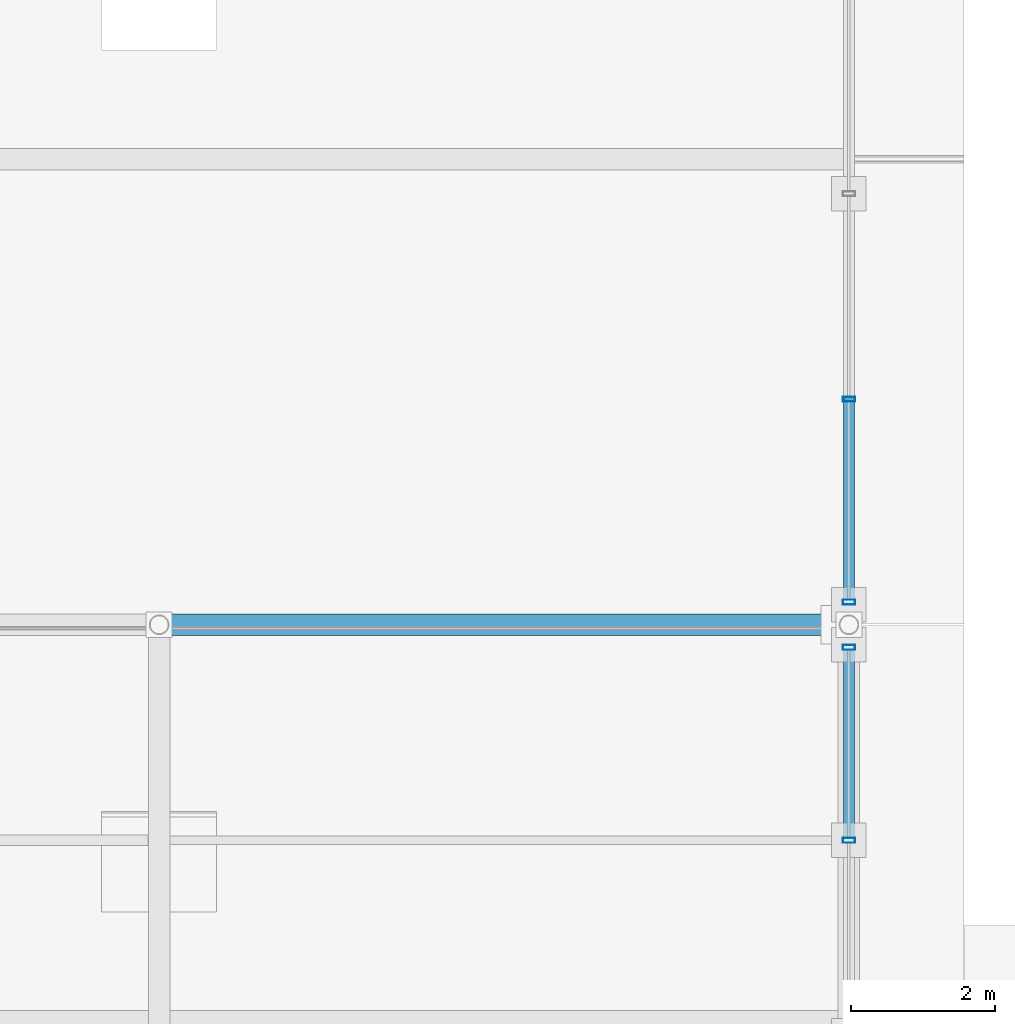
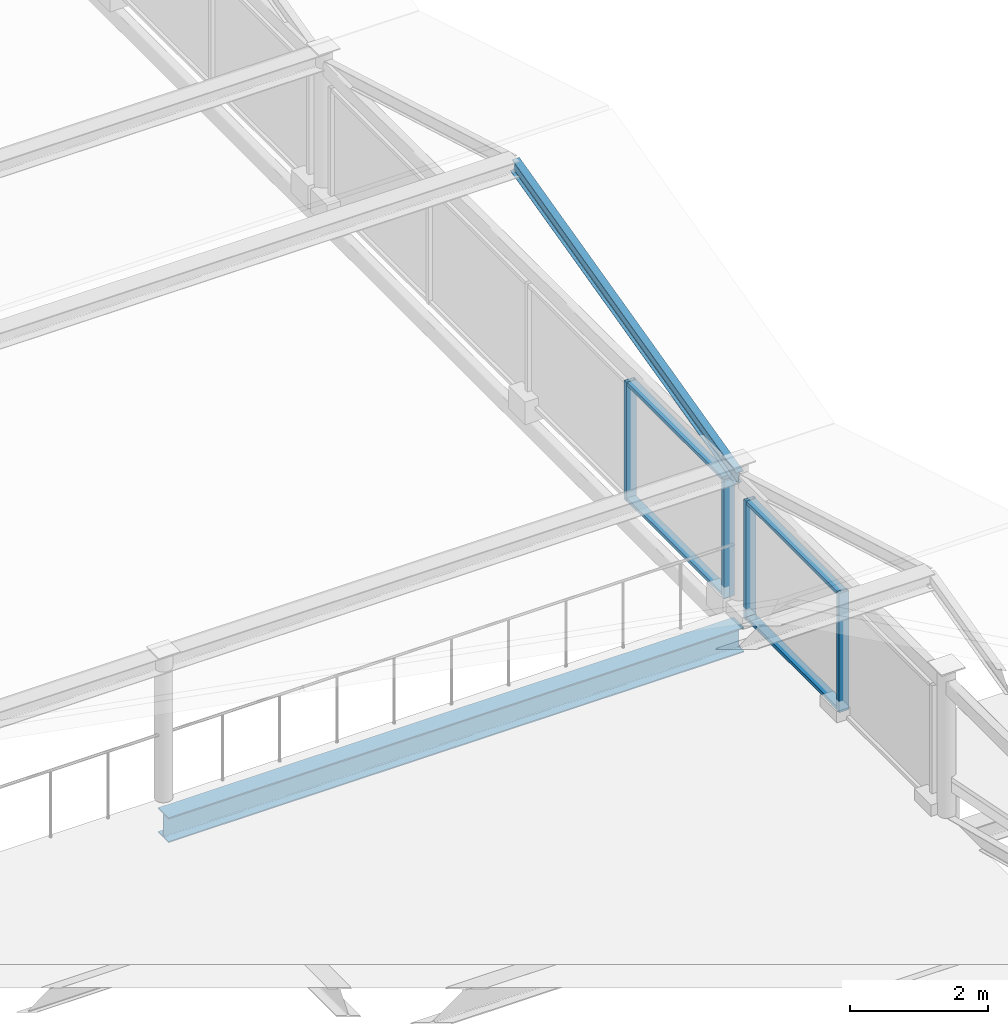
# One storey, part 48 of 117: 9 members, 1 beam, 2 elements without a shape of their own.
"""IFC4 building model written with IfcOpenShell, lengths in metres."""

import ifcopenshell
import ifcopenshell.guid

model = None  # the IFC model being written
_history = None  # IfcOwnerHistory: only IFC2X3 demands one
_inside = {}  # id of a spatial element -> (the spatial element, [elements in it])
_under = {}  # id of a project, library or spatial element -> (it, [spatial elements below it])
_declared = {}  # id of a project -> (the project, [libraries it declares])
_typed = {}  # id of a type object -> (the type object, [elements of that type])
_made_of = {}  # id of a material, layer set ... -> (it, [elements and type objects made of it])


def new_model(schema):
    """Start an empty IFC model of exactly this schema.

    Asked for "IFC4X3", IfcOpenShell would pick the latest addendum, in which some entities
    have other attributes; the version numbers below select the first issue.
    IFC2X3 requires an IfcOwnerHistory on every rooted entity: one is made here for all.
    """
    global model, _history
    if schema == "IFC4X3":
        model = ifcopenshell.file(schema_version=(4, 3, 0, 0))
    else:
        model = ifcopenshell.file(schema=schema)
    _inside.clear()
    _under.clear()
    _declared.clear()
    _typed.clear()
    _made_of.clear()
    _history = None
    if model.schema == "IFC2X3":
        org = make("IfcOrganization", Name="unknown")
        user = make(
            "IfcPersonAndOrganization",
            ThePerson=make("IfcPerson", FamilyName="unknown"),
            TheOrganization=org,
        )
        app = make(
            "IfcApplication",
            ApplicationDeveloper=org,
            Version="unknown",
            ApplicationFullName="unknown",
            ApplicationIdentifier="unknown",
        )
        _history = make(
            "IfcOwnerHistory",
            OwningUser=user,
            OwningApplication=app,
            ChangeAction="ADDED",
            CreationDate=0,
        )
    return model


def make(cls, **values):
    """One entity of the class cls with the attributes given. An attribute that is None is left unset."""
    return model.create_entity(
        cls, **{name: value for name, value in values.items() if value is not None}
    )


def rooted(cls, **values):
    """An entity with a GlobalId (a new one), such as an element, a storey or a relation."""
    return make(cls, GlobalId=ifcopenshell.guid.new(), OwnerHistory=_history, **values)


def si_unit(unit_type, name, prefix=None):
    """IfcSIUnit, for example si_unit("LENGTHUNIT", "METRE", prefix="MILLI")."""
    return make("IfcSIUnit", UnitType=unit_type, Prefix=prefix, Name=name)


def assignment(units):
    """IfcUnitAssignment: the units of a project."""
    return None if units is None else make("IfcUnitAssignment", Units=units)


def point(xyz):
    """IfcCartesianPoint."""
    return None if xyz is None else make("IfcCartesianPoint", Coordinates=xyz)


def direction(xyz):
    """IfcDirection."""
    return None if xyz is None else make("IfcDirection", DirectionRatios=xyz)


def frame(location, z_axis=None, x_axis=None):
    """IfcAxis2Placement3D, a coordinate frame: its origin and axes. An axis left out is left unset."""
    return make(
        "IfcAxis2Placement3D",
        Location=point(location),
        Axis=direction(z_axis),
        RefDirection=direction(x_axis),
    )


def frame_2d(location, x_axis=None):
    """IfcAxis2Placement2D, a coordinate frame in the plane: its origin and x axis."""
    return make(
        "IfcAxis2Placement2D", Location=point(location), RefDirection=direction(x_axis)
    )


def origin():
    """The frame at (0, 0, 0) with its axes left unset."""
    return frame((0.0, 0.0, 0.0))


def origin_2d():
    """The frame at (0, 0) in the plane with its x axis left unset."""
    return frame_2d((0.0, 0.0))


def place(relative_to, where):
    """IfcLocalPlacement: puts the frame where relative to a parent placement (None: the world)."""
    return make(
        "IfcLocalPlacement", PlacementRelTo=relative_to, RelativePlacement=where
    )


def context(
    kind, dimensions, precision=None, world=None, true_north=None, identifier=None
):
    """IfcGeometricRepresentationContext, for example the 3D "Model" context."""
    return make(
        "IfcGeometricRepresentationContext",
        ContextIdentifier=identifier,
        ContextType=kind,
        CoordinateSpaceDimension=dimensions,
        Precision=precision,
        WorldCoordinateSystem=world,
        TrueNorth=true_north,
    )


def subcontext(parent, identifier, kind, view, scale=None):
    """IfcGeometricRepresentationSubContext, for example "Body" below "Model"."""
    return make(
        "IfcGeometricRepresentationSubContext",
        ContextIdentifier=identifier,
        ContextType=kind,
        ParentContext=parent,
        TargetScale=scale,
        TargetView=view,
    )


def project(units=None, contexts=None):
    """IfcProject with its units and contexts."""
    return rooted(
        "IfcProject",
        Name="project",
        RepresentationContexts=contexts,
        UnitsInContext=assignment(units),
    )


def spatial(cls, under=None, at=None, **own):
    """A site, building, storey or space (cls), placed at a placement, below another one or the project."""
    s = rooted(cls, ObjectPlacement=at, **own)
    if under is not None:
        _under.setdefault(under.id(), (under, []))[1].append(s)
    return s


def profile(cls, at=None, kind="AREA", **sizes):
    """A parametric profile (cls). Its sizes go by their IFC names, for example OverallWidth=200.0."""
    return make(cls, ProfileType=kind, Position=at, **sizes)


def hollow_rectangle(**sizes):
    """IfcRectangleHollowProfileDef."""
    return profile("IfcRectangleHollowProfileDef", **sizes)


def i_section(**sizes):
    """IfcIShapeProfileDef."""
    return profile("IfcIShapeProfileDef", **sizes)


def extrude(swept, where, along, depth):
    """IfcExtrudedAreaSolid: the profile swept, set in the frame where, extruded along a direction by depth."""
    return make(
        "IfcExtrudedAreaSolid",
        SweptArea=swept,
        Position=where,
        ExtrudedDirection=direction(along),
        Depth=depth,
    )


def shape(context_of_items, identifier, shape_type, items):
    """IfcShapeRepresentation: the items that make up one representation, for example the "Body"."""
    return make(
        "IfcShapeRepresentation",
        ContextOfItems=context_of_items,
        RepresentationIdentifier=identifier,
        RepresentationType=shape_type,
        Items=items,
    )


def material(Name=None, Category=None):
    """IfcMaterial."""
    return make("IfcMaterial", Name=Name, Category=Category)


def material_profile(
    of_material, cross_section, Name=None, Category=None, Priority=None
):
    """IfcMaterialProfile: a cross section and its material."""
    return make(
        "IfcMaterialProfile",
        Name=Name,
        Material=of_material,
        Profile=cross_section,
        Priority=Priority,
        Category=Category,
    )


def profile_set(profiles, Name=None, composite=None):
    """IfcMaterialProfileSet."""
    return make(
        "IfcMaterialProfileSet",
        Name=Name,
        MaterialProfiles=profiles,
        CompositeProfile=composite,
    )


def made_of(thing, what):
    """Note that an element or type object is made of a material, layer set ...; save() writes the relation."""
    if what is not None:
        _made_of.setdefault(what.id(), (what, []))[1].append(thing)
    return thing


def type_object(cls, material=None, **own):
    """A type object (cls), such as IfcWallType, which elements share."""
    return made_of(rooted(cls, **own), material)


def element(
    cls,
    number,
    at=None,
    inside=None,
    cuts=None,
    type_object=None,
    material=None,
    context=None,
    identifier="Body",
    shape_type=None,
    held_by="IfcProductDefinitionShape",
    body=None,
    shapes=None,
    **own,
):
    """One element of the class cls, such as IfcWall. Its Tag is "e" and its number.

    at: its placement. inside: the storey or other place that contains it. cuts: it is an
    opening in that element (IfcRelVoidsElement). A single representation is given by context,
    identifier, shape_type and body (its items); several are given by shapes. held_by: the class
    of the entity that holds the representations. save() writes the other relations.
    """
    e = rooted(cls, Tag="e%d" % number, ObjectPlacement=at, **own)
    if body is not None:
        shapes = [shape(context, identifier, shape_type, body)]
    if shapes is not None:
        e.Representation = make(held_by, Representations=shapes)
    if inside is not None:
        _inside.setdefault(inside.id(), (inside, []))[1].append(e)
    if cuts is not None:
        rooted(
            "IfcRelVoidsElement", RelatingBuildingElement=cuts, RelatedOpeningElement=e
        )
    if type_object is not None:
        _typed.setdefault(type_object.id(), (type_object, []))[1].append(e)
    return made_of(e, material)


def aggregate(whole, parts):
    """IfcRelAggregates: a whole, such as a stair, and the parts it consists of."""
    return rooted("IfcRelAggregates", RelatingObject=whole, RelatedObjects=parts)


def save(model, path):
    """Write the relations noted so far, then the file.

    IfcRelAggregates (storeys below a building ...), IfcRelContainedInSpatialStructure (elements
    in a storey), IfcRelDefinesByType, IfcRelAssociatesMaterial and IfcRelDeclares: one each for
    every whole, place, type object, material and project.
    """
    for whole, parts in _under.values():
        aggregate(whole, parts)
    for where, things in _inside.values():
        rooted(
            "IfcRelContainedInSpatialStructure",
            RelatedElements=things,
            RelatingStructure=where,
        )
    for kind, things in _typed.values():
        rooted("IfcRelDefinesByType", RelatedObjects=things, RelatingType=kind)
    for what, things in _made_of.values():
        rooted("IfcRelAssociatesMaterial", RelatedObjects=things, RelatingMaterial=what)
    for by, libraries in _declared.values():
        rooted("IfcRelDeclares", RelatingContext=by, RelatedDefinitions=libraries)
    model.write(path)


model = new_model("IFC4")

# Units and contexts
model_context = context("Model", 3, precision=1e-05, world=origin(), true_north=direction((0.0, 1.0)))
body_context = subcontext(model_context, "Body", "Model", "MODEL_VIEW")
ifc_project = project(units=[si_unit("LENGTHUNIT", "METRE"), si_unit("AREAUNIT", "SQUARE_METRE"), si_unit("VOLUMEUNIT", "CUBIC_METRE"), si_unit("PLANEANGLEUNIT", "RADIAN"), si_unit("MASSUNIT", "GRAM", prefix="KILO")], contexts=[model_context])

# Site, building, storey
site_placement = place(None, origin())
site = spatial("IfcSite", under=ifc_project, at=site_placement, CompositionType="ELEMENT")
building_placement = place(site_placement, origin())
building = spatial("IfcBuilding", under=site, at=building_placement, Name="Merenkruunu Market Hall", CompositionType="ELEMENT")
storey_placement = place(building_placement, frame((0.0, 0.0, 10.199951171875)))
storey = spatial("IfcBuildingStorey", under=building, at=storey_placement, Name="L02", CompositionType="ELEMENT", Elevation=10.199951171875)

# Curtain wall, members
ifc_material_1 = material(Name="Powder-coated aluminium", Category="aluminium")
curtain_wall_type = type_object("IfcCurtainWallType", Name="Clerestory Curtain Band CL02", PredefinedType="USERDEFINED", material=ifc_material_1)
curtain_wall_1_placement = place(storey_placement, origin())
curtain_wall_1 = element("IfcCurtainWall", 1, at=curtain_wall_1_placement, inside=storey, type_object=curtain_wall_type, Name="CW-L02-CWM04-158", ObjectType="CLERESTORY_BAND", PredefinedType="USERDEFINED")
ifc_material_profile_1 = material_profile(ifc_material_1, hollow_rectangle(XDim=0.070068359375, YDim=0.169921875, WallThickness=0.0048828125, at=origin_2d()), Name="ALU 70x170x5")
ifc_profile_set_1 = profile_set([ifc_material_profile_1], Name="Powder-coated aluminium")
member_type_1 = type_object("IfcMemberType", Name="Curtain Wall Mullion CWM04", PredefinedType="MULLION", material=ifc_profile_set_1)
member_1_placement = place(storey_placement, frame((76.800048828125, 51.284912109375, 0.0), z_axis=(0.0, 0.0, 1.0), x_axis=(0.0, -1.0, 0.0)))
member_1 = element("IfcMember", 2, at=member_1_placement, type_object=member_type_1, Name="CL02 mullion 1", PredefinedType="MULLION", context=body_context, shape_type="SweptSolid", body=[
    extrude(hollow_rectangle(XDim=0.070068359375, YDim=0.169921875, WallThickness=0.0048828125, at=origin_2d()), origin(), (0.0, 0.0, 1.0), 2.10009765625),
])
member_2_placement = place(storey_placement, frame((76.800048828125, 48.60009765625, 0.0), z_axis=(0.0, 0.0, 1.0), x_axis=(0.0, -1.0, 0.0)))
member_2 = element("IfcMember", 3, at=member_2_placement, type_object=member_type_1, Name="CL02 mullion 2", PredefinedType="MULLION", context=body_context, shape_type="SweptSolid", body=[
    extrude(hollow_rectangle(XDim=0.070068359375, YDim=0.169921875, WallThickness=0.0048828125, at=origin_2d()), origin(), (0.0, 0.0, 1.0), 2.10009765625),
])

curtain_wall_2_placement = place(storey_placement, origin())
curtain_wall_2 = element("IfcCurtainWall", 4, at=curtain_wall_2_placement, inside=storey, type_object=curtain_wall_type, Name="CW-L02-CWM04-161", ObjectType="CLERESTORY_BAND", PredefinedType="USERDEFINED")
member_3_placement = place(storey_placement, frame((76.800048828125, 54.739990234375, 0.0), z_axis=(0.0, 0.0, 1.0), x_axis=(0.0, -1.0, 0.0)))
member_3 = element("IfcMember", 5, at=member_3_placement, type_object=member_type_1, Name="CL02 mullion 4", PredefinedType="MULLION", context=body_context, shape_type="SweptSolid", body=[
    extrude(hollow_rectangle(XDim=0.070068359375, YDim=0.169921875, WallThickness=0.0048828125, at=origin_2d()), origin(), (0.0, 0.0, 1.0), 2.10009765625),
])
member_4_placement = place(storey_placement, frame((76.800048828125, 51.9150390625, 0.0), z_axis=(0.0, 0.0, 1.0), x_axis=(0.0, -1.0, 0.0)))
member_4 = element("IfcMember", 6, at=member_4_placement, type_object=member_type_1, Name="CL02 mullion 5", PredefinedType="MULLION", context=body_context, shape_type="SweptSolid", body=[
    extrude(hollow_rectangle(XDim=0.070068359375, YDim=0.169921875, WallThickness=0.0048828125, at=origin_2d()), origin(), (0.0, 0.0, 1.0), 2.10009765625),
])

# Member
ifc_material_profile_2 = material_profile(ifc_material_1, hollow_rectangle(XDim=0.06005859375, YDim=0.14990234375, WallThickness=0.00390625, at=origin_2d()), Name="ALU 60x150x4")
ifc_profile_set_2 = profile_set([ifc_material_profile_2], Name="Powder-coated aluminium")
member_type_2 = type_object("IfcMemberType", Name="Curtain Wall Transom CWT04", PredefinedType="USERDEFINED", material=ifc_profile_set_2)
member_5_placement = place(storey_placement, frame((76.800048828125, 51.25, 0.030029296875), z_axis=(0.0, -1.0, 0.0), x_axis=(0.0, 0.0, 1.0)))
member_5 = element("IfcMember", 7, at=member_5_placement, type_object=member_type_2, Name="CL02 transom 1.1", ObjectType="TRANSOM", PredefinedType="USERDEFINED", context=body_context, shape_type="SweptSolid", body=[
    extrude(hollow_rectangle(XDim=0.06005859375, YDim=0.14990234375, WallThickness=0.00390625, at=origin_2d()), origin(), (0.0, 0.0, 1.0), 2.614990234375),
])

member_6_placement = place(storey_placement, frame((76.800048828125, 51.25, 2.070068359375), z_axis=(0.0, -1.0, 0.0), x_axis=(0.0, 0.0, 1.0)))
member_6 = element("IfcMember", 8, at=member_6_placement, type_object=member_type_2, Name="CL02 transom 1.2", ObjectType="TRANSOM", PredefinedType="USERDEFINED", context=body_context, shape_type="SweptSolid", body=[
    extrude(hollow_rectangle(XDim=0.06005859375, YDim=0.14990234375, WallThickness=0.00390625, at=origin_2d()), origin(), (0.0, 0.0, 1.0), 2.614990234375),
])

aggregate(curtain_wall_1, [member_1, member_2, member_5, member_6])

member_7_placement = place(storey_placement, frame((76.800048828125, 54.705078125, 0.030029296875), z_axis=(0.0, -1.0, 0.0), x_axis=(0.0, 0.0, 1.0)))
member_7 = element("IfcMember", 9, at=member_7_placement, type_object=member_type_2, Name="CL02 transom 4.1", ObjectType="TRANSOM", PredefinedType="USERDEFINED", context=body_context, shape_type="SweptSolid", body=[
    extrude(hollow_rectangle(XDim=0.06005859375, YDim=0.14990234375, WallThickness=0.00390625, at=origin_2d()), origin(), (0.0, 0.0, 1.0), 2.755126953125),
])

member_8_placement = place(storey_placement, frame((76.800048828125, 54.705078125, 2.070068359375), z_axis=(0.0, -1.0, 0.0), x_axis=(0.0, 0.0, 1.0)))
member_8 = element("IfcMember", 10, at=member_8_placement, type_object=member_type_2, Name="CL02 transom 4.2", ObjectType="TRANSOM", PredefinedType="USERDEFINED", context=body_context, shape_type="SweptSolid", body=[
    extrude(hollow_rectangle(XDim=0.06005859375, YDim=0.14990234375, WallThickness=0.00390625, at=origin_2d()), origin(), (0.0, 0.0, 1.0), 2.755126953125),
])

aggregate(curtain_wall_2, [member_3, member_4, member_7, member_8])

# Beam
ifc_material_2 = material(Name="Steel S355J2", Category="steel")
ifc_material_profile_3 = material_profile(ifc_material_2, i_section(OverallWidth=0.300048828125, OverallDepth=0.43994140625, WebThickness=0.011474609375, FlangeThickness=0.02099609375, FilletRadius=0.027099609375, at=origin_2d()), Name="HEA 450")
ifc_profile_set_3 = profile_set([ifc_material_profile_3], Name="Steel S355J2")
beam_type = type_object("IfcBeamType", Name="Primary Floor Girder B07", PredefinedType="BEAM", material=ifc_profile_set_3)
beam_placement = place(storey_placement, frame((67.199951171875, 51.60009765625, -0.489990234375), z_axis=(1.0, 0.0, 0.0), x_axis=(0.0, 1.0, 0.0)))
element("IfcBeam", 11, at=beam_placement, inside=storey, type_object=beam_type, Name="BM-L02-B07-0773", PredefinedType="BEAM", context=body_context, shape_type="SweptSolid", body=[
    extrude(i_section(OverallWidth=0.300048828125, OverallDepth=0.43994140625, WebThickness=0.011474609375, FlangeThickness=0.02099609375, FilletRadius=0.027099609375, at=origin_2d()), origin(), (0.0, 0.0, 1.0), 9.60009765625),
])

# Member
ifc_material_3 = material(Name="Steel S355ML", Category="steel")
ifc_material_profile_4 = material_profile(ifc_material_3, i_section(OverallWidth=0.1201171875, OverallDepth=0.239990234375, WebThickness=0.006103515625, FlangeThickness=0.009765625, FilletRadius=0.014892578125, at=origin_2d()), Name="IPE 240")
ifc_profile_set_4 = profile_set([ifc_material_profile_4], Name="Steel S355ML")
member_type_3 = type_object("IfcMemberType", Name="Roof Purlin Rafter PR02", PredefinedType="PURLIN", material=ifc_profile_set_4)
member_9_placement = place(storey_placement, frame((76.800048828125, 51.60009765625, 2.280029296875), z_axis=(0.0, 0.970839870255, 0.239728901727), x_axis=(-1.0, 0.0, 0.0)))
element("IfcMember", 12, at=member_9_placement, inside=storey, type_object=member_type_3, Name="MEM-V4-SAWR-015", PredefinedType="PURLIN", context=body_context, shape_type="SweptSolid", body=[
    extrude(i_section(OverallWidth=0.1201171875, OverallDepth=0.239990234375, WebThickness=0.006103515625, FlangeThickness=0.009765625, FilletRadius=0.014892578125, at=origin_2d()), origin(), (0.0, 0.0, 1.0), 6.674560546875),
])

save(model, "model.ifc")
